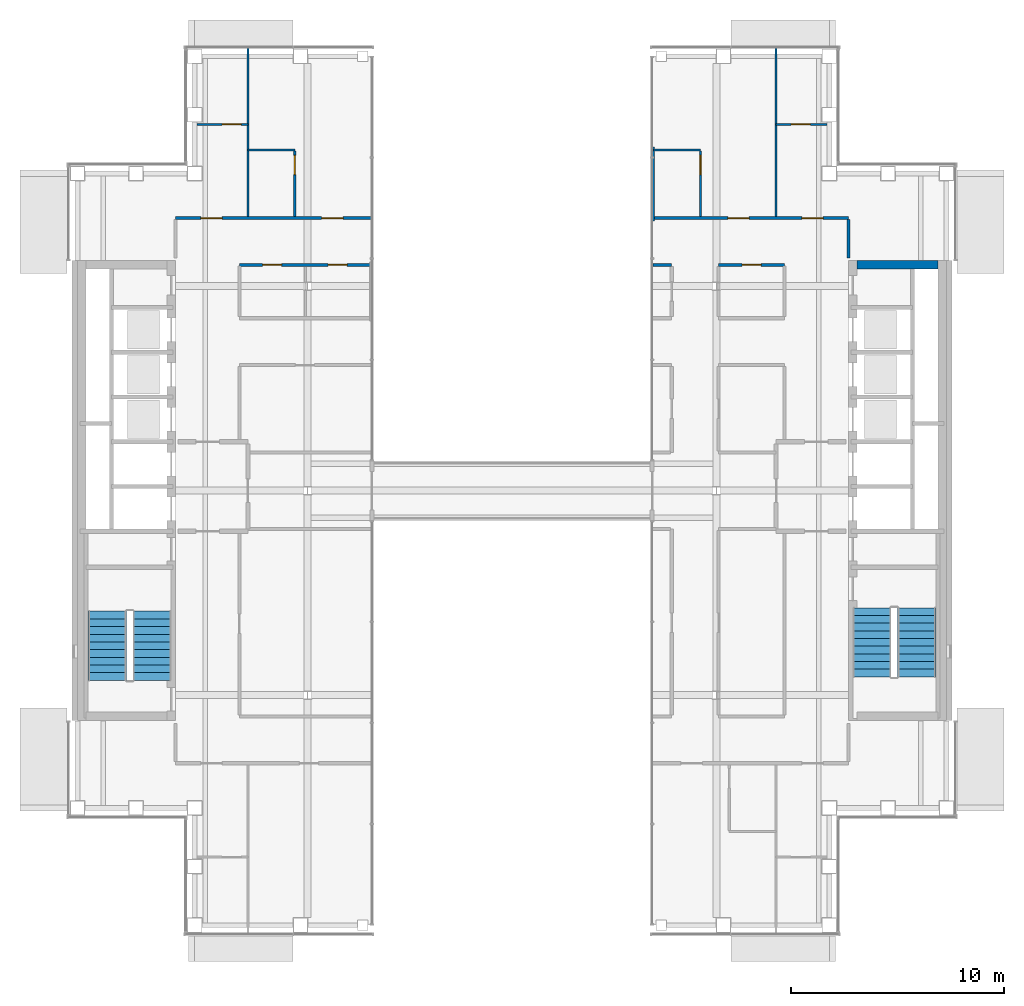
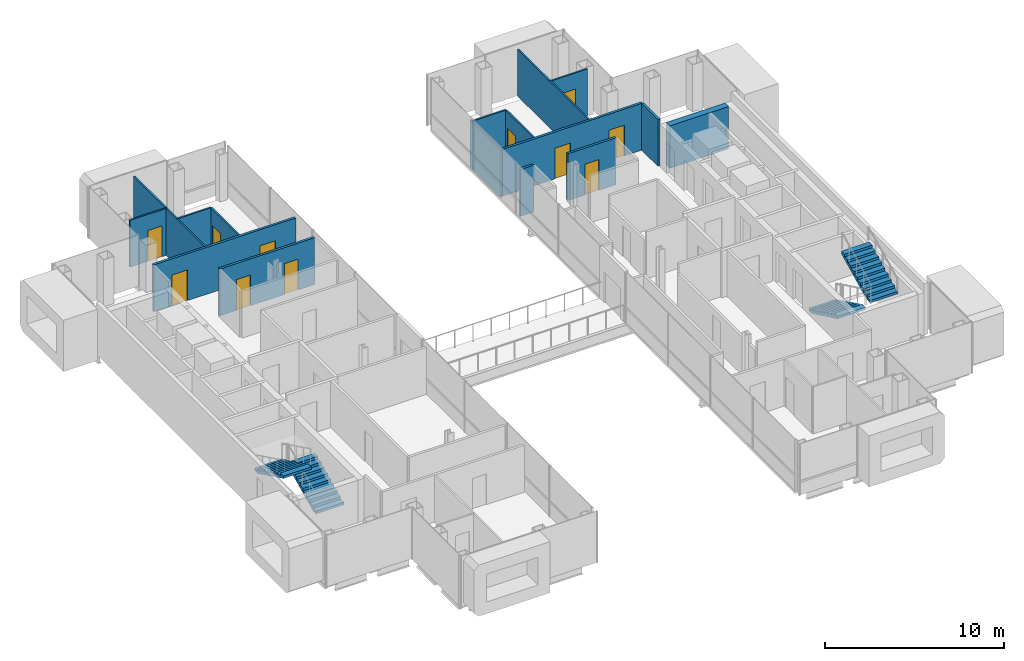
# One storey, part 13 of 17: 16 walls, 11 doors, 4 stair flights, 11 openings, 2 elements without a shape of their own.
"""IFC4 building model written with IfcOpenShell, lengths in metres."""

import ifcopenshell
import ifcopenshell.guid

model = None  # the IFC model being written
_history = None  # IfcOwnerHistory: only IFC2X3 demands one
_inside = {}  # id of a spatial element -> (the spatial element, [elements in it])
_under = {}  # id of a project, library or spatial element -> (it, [spatial elements below it])
_declared = {}  # id of a project -> (the project, [libraries it declares])
_typed = {}  # id of a type object -> (the type object, [elements of that type])
_made_of = {}  # id of a material, layer set ... -> (it, [elements and type objects made of it])


def new_model(schema):
    """Start an empty IFC model of exactly this schema.

    Asked for "IFC4X3", IfcOpenShell would pick the latest addendum, in which some entities
    have other attributes; the version numbers below select the first issue.
    IFC2X3 requires an IfcOwnerHistory on every rooted entity: one is made here for all.
    """
    global model, _history
    if schema == "IFC4X3":
        model = ifcopenshell.file(schema_version=(4, 3, 0, 0))
    else:
        model = ifcopenshell.file(schema=schema)
    _inside.clear()
    _under.clear()
    _declared.clear()
    _typed.clear()
    _made_of.clear()
    _history = None
    if model.schema == "IFC2X3":
        org = make("IfcOrganization", Name="unknown")
        user = make(
            "IfcPersonAndOrganization",
            ThePerson=make("IfcPerson", FamilyName="unknown"),
            TheOrganization=org,
        )
        app = make(
            "IfcApplication",
            ApplicationDeveloper=org,
            Version="unknown",
            ApplicationFullName="unknown",
            ApplicationIdentifier="unknown",
        )
        _history = make(
            "IfcOwnerHistory",
            OwningUser=user,
            OwningApplication=app,
            ChangeAction="ADDED",
            CreationDate=0,
        )
    return model


def make(cls, **values):
    """One entity of the class cls with the attributes given. An attribute that is None is left unset."""
    return model.create_entity(
        cls, **{name: value for name, value in values.items() if value is not None}
    )


def rooted(cls, **values):
    """An entity with a GlobalId (a new one), such as an element, a storey or a relation."""
    return make(cls, GlobalId=ifcopenshell.guid.new(), OwnerHistory=_history, **values)


def si_unit(unit_type, name, prefix=None):
    """IfcSIUnit, for example si_unit("LENGTHUNIT", "METRE", prefix="MILLI")."""
    return make("IfcSIUnit", UnitType=unit_type, Prefix=prefix, Name=name)


def assignment(units):
    """IfcUnitAssignment: the units of a project."""
    return None if units is None else make("IfcUnitAssignment", Units=units)


def point(xyz):
    """IfcCartesianPoint."""
    return None if xyz is None else make("IfcCartesianPoint", Coordinates=xyz)


def direction(xyz):
    """IfcDirection."""
    return None if xyz is None else make("IfcDirection", DirectionRatios=xyz)


def frame(location, z_axis=None, x_axis=None):
    """IfcAxis2Placement3D, a coordinate frame: its origin and axes. An axis left out is left unset."""
    return make(
        "IfcAxis2Placement3D",
        Location=point(location),
        Axis=direction(z_axis),
        RefDirection=direction(x_axis),
    )


def frame_2d(location, x_axis=None):
    """IfcAxis2Placement2D, a coordinate frame in the plane: its origin and x axis."""
    return make(
        "IfcAxis2Placement2D", Location=point(location), RefDirection=direction(x_axis)
    )


def origin():
    """The frame at (0, 0, 0) with its axes left unset."""
    return frame((0.0, 0.0, 0.0))


def place(relative_to, where):
    """IfcLocalPlacement: puts the frame where relative to a parent placement (None: the world)."""
    return make(
        "IfcLocalPlacement", PlacementRelTo=relative_to, RelativePlacement=where
    )


def context(
    kind, dimensions, precision=None, world=None, true_north=None, identifier=None
):
    """IfcGeometricRepresentationContext, for example the 3D "Model" context."""
    return make(
        "IfcGeometricRepresentationContext",
        ContextIdentifier=identifier,
        ContextType=kind,
        CoordinateSpaceDimension=dimensions,
        Precision=precision,
        WorldCoordinateSystem=world,
        TrueNorth=true_north,
    )


def subcontext(parent, identifier, kind, view, scale=None):
    """IfcGeometricRepresentationSubContext, for example "Body" below "Model"."""
    return make(
        "IfcGeometricRepresentationSubContext",
        ContextIdentifier=identifier,
        ContextType=kind,
        ParentContext=parent,
        TargetScale=scale,
        TargetView=view,
    )


def project(units=None, contexts=None):
    """IfcProject with its units and contexts."""
    return rooted(
        "IfcProject",
        Name="project",
        RepresentationContexts=contexts,
        UnitsInContext=assignment(units),
    )


def spatial(cls, under=None, at=None, **own):
    """A site, building, storey or space (cls), placed at a placement, below another one or the project."""
    s = rooted(cls, ObjectPlacement=at, **own)
    if under is not None:
        _under.setdefault(under.id(), (under, []))[1].append(s)
    return s


def polyline(points):
    """IfcPolyline through the points."""
    return make("IfcPolyline", Points=[point(p) for p in points])


def profile(cls, at=None, kind="AREA", **sizes):
    """A parametric profile (cls). Its sizes go by their IFC names, for example OverallWidth=200.0."""
    return make(cls, ProfileType=kind, Position=at, **sizes)


def rectangle(**sizes):
    """IfcRectangleProfileDef."""
    return profile("IfcRectangleProfileDef", **sizes)


def outline(outer, holes=None, kind="AREA"):
    """IfcArbitraryClosedProfileDef: a profile drawn as a closed curve; with holes, ...WithVoids."""
    if holes is None:
        return make("IfcArbitraryClosedProfileDef", ProfileType=kind, OuterCurve=outer)
    return make(
        "IfcArbitraryProfileDefWithVoids",
        ProfileType=kind,
        OuterCurve=outer,
        InnerCurves=holes,
    )


def extrude(swept, where, along, depth):
    """IfcExtrudedAreaSolid: the profile swept, set in the frame where, extruded along a direction by depth."""
    return make(
        "IfcExtrudedAreaSolid",
        SweptArea=swept,
        Position=where,
        ExtrudedDirection=direction(along),
        Depth=depth,
    )


def shape(context_of_items, identifier, shape_type, items):
    """IfcShapeRepresentation: the items that make up one representation, for example the "Body"."""
    return make(
        "IfcShapeRepresentation",
        ContextOfItems=context_of_items,
        RepresentationIdentifier=identifier,
        RepresentationType=shape_type,
        Items=items,
    )


def material(Name=None, Category=None):
    """IfcMaterial."""
    return make("IfcMaterial", Name=Name, Category=Category)


def layer(
    of_material, thickness, ventilated=None, Name=None, Category=None, Priority=None
):
    """IfcMaterialLayer: one layer of a wall or slab, of a material (None: an air gap)."""
    return make(
        "IfcMaterialLayer",
        Material=of_material,
        LayerThickness=thickness,
        IsVentilated=ventilated,
        Name=Name,
        Category=Category,
        Priority=Priority,
    )


def layer_set(layers, Name=None):
    """IfcMaterialLayerSet."""
    return make("IfcMaterialLayerSet", MaterialLayers=layers, LayerSetName=Name)


def made_of(thing, what):
    """Note that an element or type object is made of a material, layer set ...; save() writes the relation."""
    if what is not None:
        _made_of.setdefault(what.id(), (what, []))[1].append(thing)
    return thing


def type_object(cls, material=None, **own):
    """A type object (cls), such as IfcWallType, which elements share."""
    return made_of(rooted(cls, **own), material)


def element(
    cls,
    number,
    at=None,
    inside=None,
    cuts=None,
    type_object=None,
    material=None,
    context=None,
    identifier="Body",
    shape_type=None,
    held_by="IfcProductDefinitionShape",
    body=None,
    shapes=None,
    **own,
):
    """One element of the class cls, such as IfcWall. Its Tag is "e" and its number.

    at: its placement. inside: the storey or other place that contains it. cuts: it is an
    opening in that element (IfcRelVoidsElement). A single representation is given by context,
    identifier, shape_type and body (its items); several are given by shapes. held_by: the class
    of the entity that holds the representations. save() writes the other relations.
    """
    e = rooted(cls, Tag="e%d" % number, ObjectPlacement=at, **own)
    if body is not None:
        shapes = [shape(context, identifier, shape_type, body)]
    if shapes is not None:
        e.Representation = make(held_by, Representations=shapes)
    if inside is not None:
        _inside.setdefault(inside.id(), (inside, []))[1].append(e)
    if cuts is not None:
        rooted(
            "IfcRelVoidsElement", RelatingBuildingElement=cuts, RelatedOpeningElement=e
        )
    if type_object is not None:
        _typed.setdefault(type_object.id(), (type_object, []))[1].append(e)
    return made_of(e, material)


def fill(opening, filler):
    """IfcRelFillsElement: the door or window that sits in an opening."""
    return rooted(
        "IfcRelFillsElement",
        RelatingOpeningElement=opening,
        RelatedBuildingElement=filler,
    )


def aggregate(whole, parts):
    """IfcRelAggregates: a whole, such as a stair, and the parts it consists of."""
    return rooted("IfcRelAggregates", RelatingObject=whole, RelatedObjects=parts)


def save(model, path):
    """Write the relations noted so far, then the file.

    IfcRelAggregates (storeys below a building ...), IfcRelContainedInSpatialStructure (elements
    in a storey), IfcRelDefinesByType, IfcRelAssociatesMaterial and IfcRelDeclares: one each for
    every whole, place, type object, material and project.
    """
    for whole, parts in _under.values():
        aggregate(whole, parts)
    for where, things in _inside.values():
        rooted(
            "IfcRelContainedInSpatialStructure",
            RelatedElements=things,
            RelatingStructure=where,
        )
    for kind, things in _typed.values():
        rooted("IfcRelDefinesByType", RelatedObjects=things, RelatingType=kind)
    for what, things in _made_of.values():
        rooted("IfcRelAssociatesMaterial", RelatedObjects=things, RelatingMaterial=what)
    for by, libraries in _declared.values():
        rooted("IfcRelDeclares", RelatingContext=by, RelatedDefinitions=libraries)
    model.write(path)


model = new_model("IFC4")

# Units and contexts
model_context = context("Model", 3, precision=1e-05, world=origin(), true_north=direction((0.0, 1.0)))
body_context = subcontext(model_context, "Body", "Model", "MODEL_VIEW")
ifc_project = project(units=[si_unit("LENGTHUNIT", "METRE"), si_unit("AREAUNIT", "SQUARE_METRE"), si_unit("VOLUMEUNIT", "CUBIC_METRE"), si_unit("PLANEANGLEUNIT", "RADIAN"), si_unit("MASSUNIT", "GRAM", prefix="KILO")], contexts=[model_context])

# Site, building, storey
site_placement = place(None, origin())
site = spatial("IfcSite", under=ifc_project, at=site_placement, CompositionType="ELEMENT")
building_placement = place(site_placement, origin())
building = spatial("IfcBuilding", under=site, at=building_placement, Name="Cobrizo Arcos Hotel Tower", CompositionType="ELEMENT")
storey_placement = place(building_placement, frame((0.0, 0.0, 233.0)))
storey = spatial("IfcBuildingStorey", under=building, at=storey_placement, Name="L61", CompositionType="ELEMENT", Elevation=233.0)

# Wall, openings, doors
ifc_material_1 = material(Name="Gypsum board partition")
ifc_layer_1 = layer(ifc_material_1, 0.14990234375)
ifc_layer_set_1 = layer_set([ifc_layer_1], Name="Corridor wall EI 60 150")
wall_type_1 = type_object("IfcWallType", Name="Corridor wall EI 60 150", PredefinedType="PARTITIONING", material=ifc_layer_set_1)
wall_1_placement = place(storey_placement, frame((-12.800048828125, 10.60009765625, 0.0), z_axis=(0.0, 0.0, 1.0), x_axis=(1.0, 0.0, 0.0)))
wall_1 = element("IfcWall", 1, at=wall_1_placement, inside=storey, type_object=wall_type_1, Name="Partition 041", PredefinedType="PARTITIONING", context=body_context, shape_type="SweptSolid", body=[
    extrude(rectangle(XDim=6.150146484375, YDim=0.14990234375, at=frame_2d((3.0751953125, 0.0))), origin(), (0.0, 0.0, 1.0), 3.199951171875),
])
opening_1_placement = place(wall_1_placement, frame((1.087890625, 0.0, 0.0)))
opening_1 = element("IfcOpeningElement", 2, at=opening_1_placement, cuts=wall_1, Name="Opening ED-08", PredefinedType="OPENING", context=body_context, shape_type="SweptSolid", body=[
    extrude(rectangle(XDim=0.89990234375, YDim=2.10009765625, at=frame_2d((0.449951171875, 1.050048828125))), frame((0.0, 0.0869140625, 0.0), z_axis=(0.0, -1.0, 0.0), x_axis=(1.0, 0.0, 0.0)), (0.0, 0.0, 1.0), 0.173828125),
])
opening_2_placement = place(wall_1_placement, frame((4.1630859375, 0.0, 0.0)))
opening_2 = element("IfcOpeningElement", 3, at=opening_2_placement, cuts=wall_1, Name="Opening ED-09", PredefinedType="OPENING", context=body_context, shape_type="SweptSolid", body=[
    extrude(rectangle(XDim=0.89990234375, YDim=2.10009765625, at=frame_2d((0.449951171875, 1.050048828125))), frame((0.0, 0.0869140625, 0.0), z_axis=(0.0, -1.0, 0.0), x_axis=(1.0, 0.0, 0.0)), (0.0, 0.0, 1.0), 0.173828125),
])
ifc_material_2 = material(Name="Timber door leaf", Category="wood")
door_type_1 = type_object("IfcDoorType", Name="En-suite door 900x2100", OperationType="SINGLE_SWING_LEFT", PredefinedType="DOOR", material=ifc_material_2)
door_1_placement = place(opening_1_placement, origin())
door_1 = element("IfcDoor", 4, at=door_1_placement, inside=storey, type_object=door_type_1, Name="Door ED-08", OperationType="SINGLE_SWING_LEFT", OverallHeight=2.10009765625, OverallWidth=0.89990234375, PredefinedType="DOOR", context=body_context, shape_type="SweptSolid", body=[
    extrude(rectangle(XDim=0.89990234375, YDim=2.10009765625, at=frame_2d((0.449951171875, 1.050048828125))), frame((0.0, 0.02490234375, 0.0), z_axis=(0.0, -1.0, 0.0), x_axis=(1.0, 0.0, 0.0)), (0.0, 0.0, 1.0), 0.050048828125),
])
fill(opening_1, door_1)
door_2_placement = place(opening_2_placement, origin())
door_2 = element("IfcDoor", 5, at=door_2_placement, inside=storey, type_object=door_type_1, Name="Door ED-09", OperationType="SINGLE_SWING_LEFT", OverallHeight=2.10009765625, OverallWidth=0.89990234375, PredefinedType="DOOR", context=body_context, shape_type="SweptSolid", body=[
    extrude(rectangle(XDim=0.89990234375, YDim=2.10009765625, at=frame_2d((0.449951171875, 1.050048828125))), frame((0.0, 0.02490234375, 0.0), z_axis=(0.0, -1.0, 0.0), x_axis=(1.0, 0.0, 0.0)), (0.0, 0.0, 1.0), 0.050048828125),
])
fill(opening_2, door_2)

# Wall
wall_2_placement = place(storey_placement, frame((6.6201171875, 10.60009765625, 0.0), z_axis=(0.0, 0.0, 1.0), x_axis=(1.0, 0.0, 0.0)))
element("IfcWall", 6, at=wall_2_placement, inside=storey, type_object=wall_type_1, Name="Partition 042", PredefinedType="PARTITIONING", context=body_context, shape_type="SweptSolid", body=[
    extrude(rectangle(XDim=0.8798828125, YDim=0.14990234375, at=frame_2d((0.43994140625, 0.0))), origin(), (0.0, 0.0, 1.0), 3.199951171875),
])

# Wall, opening, door
wall_3_placement = place(storey_placement, frame((9.699951171875, 10.60009765625, 0.0), z_axis=(0.0, 0.0, 1.0), x_axis=(1.0, 0.0, 0.0)))
wall_3 = element("IfcWall", 7, at=wall_3_placement, inside=storey, type_object=wall_type_1, Name="Partition 043", PredefinedType="PARTITIONING", context=body_context, shape_type="SweptSolid", body=[
    extrude(rectangle(XDim=3.10009765625, YDim=0.14990234375, at=frame_2d((1.550048828125, 0.0))), origin(), (0.0, 0.0, 1.0), 3.199951171875),
])
opening_3_placement = place(wall_3_placement, frame((1.10009765625, 0.0, 0.0)))
opening_3 = element("IfcOpeningElement", 8, at=opening_3_placement, cuts=wall_3, Name="Opening RD-07", PredefinedType="OPENING", context=body_context, shape_type="SweptSolid", body=[
    extrude(rectangle(XDim=0.89990234375, YDim=2.10009765625, at=frame_2d((0.449951171875, 1.050048828125))), frame((0.0, 0.0869140625, 0.0), z_axis=(0.0, -1.0, 0.0), x_axis=(1.0, 0.0, 0.0)), (0.0, 0.0, 1.0), 0.173828125),
])
door_type_2 = type_object("IfcDoorType", Name="Room door FD30 900x2100", OperationType="SINGLE_SWING_LEFT", PredefinedType="DOOR", material=ifc_material_2)
door_3_placement = place(opening_3_placement, origin())
door_3 = element("IfcDoor", 9, at=door_3_placement, inside=storey, type_object=door_type_2, Name="Door RD-07", OperationType="SINGLE_SWING_RIGHT", OverallHeight=2.10009765625, OverallWidth=0.89990234375, PredefinedType="DOOR", context=body_context, shape_type="SweptSolid", body=[
    extrude(rectangle(XDim=0.89990234375, YDim=2.10009765625, at=frame_2d((0.449951171875, 1.050048828125))), frame((0.0, 0.02490234375, 0.0), z_axis=(0.0, -1.0, 0.0), x_axis=(1.0, 0.0, 0.0)), (0.0, 0.0, 1.0), 0.050048828125),
])
fill(opening_3, door_3)

# Wall, openings, doors
wall_4_placement = place(storey_placement, frame((-15.800048828125, 12.800048828125, 0.0), z_axis=(0.0, 0.0, 1.0), x_axis=(1.0, 0.0, 0.0)))
wall_4 = element("IfcWall", 10, at=wall_4_placement, inside=storey, type_object=wall_type_1, Name="Partition 044", PredefinedType="PARTITIONING", context=body_context, shape_type="SweptSolid", body=[
    extrude(rectangle(XDim=9.179931640625, YDim=0.14990234375, at=frame_2d((4.58984375, 0.0))), origin(), (0.0, 0.0, 1.0), 3.199951171875),
])
opening_4_placement = place(wall_4_placement, frame((6.866943359375, 0.0, 0.0)))
opening_4 = element("IfcOpeningElement", 11, at=opening_4_placement, cuts=wall_4, Name="Opening GD-02", PredefinedType="OPENING", context=body_context, shape_type="SweptSolid", body=[
    extrude(rectangle(XDim=1.0, YDim=2.10009765625, at=frame_2d((0.5, 1.050048828125))), frame((0.0, 0.0869140625, 0.0), z_axis=(0.0, -1.0, 0.0), x_axis=(1.0, 0.0, 0.0)), (0.0, 0.0, 1.0), 0.173828125),
])
opening_5_placement = place(wall_4_placement, frame((1.19189453125, 0.0, 0.0)))
opening_5 = element("IfcOpeningElement", 12, at=opening_5_placement, cuts=wall_4, Name="Opening GD-05", PredefinedType="OPENING", context=body_context, shape_type="SweptSolid", body=[
    extrude(rectangle(XDim=1.0, YDim=2.10009765625, at=frame_2d((0.5, 1.050048828125))), frame((0.0, 0.0869140625, 0.0), z_axis=(0.0, -1.0, 0.0), x_axis=(1.0, 0.0, 0.0)), (0.0, 0.0, 1.0), 0.173828125),
])
door_type_3 = type_object("IfcDoorType", Name="Guest room door FD30S 1000x2100", OperationType="SINGLE_SWING_LEFT", PredefinedType="DOOR", material=ifc_material_2)
door_4_placement = place(opening_4_placement, origin())
door_4 = element("IfcDoor", 13, at=door_4_placement, inside=storey, type_object=door_type_3, Name="Door GD-02", OperationType="SINGLE_SWING_LEFT", OverallHeight=2.10009765625, OverallWidth=1.0, PredefinedType="DOOR", context=body_context, shape_type="SweptSolid", body=[
    extrude(rectangle(XDim=1.0, YDim=2.10009765625, at=frame_2d((0.5, 1.050048828125))), frame((0.0, 0.02490234375, 0.0), z_axis=(0.0, -1.0, 0.0), x_axis=(1.0, 0.0, 0.0)), (0.0, 0.0, 1.0), 0.050048828125),
])
fill(opening_4, door_4)
door_5_placement = place(opening_5_placement, origin())
door_5 = element("IfcDoor", 14, at=door_5_placement, inside=storey, type_object=door_type_3, Name="Door GD-05", OperationType="SINGLE_SWING_RIGHT", OverallHeight=2.10009765625, OverallWidth=1.0, PredefinedType="DOOR", context=body_context, shape_type="SweptSolid", body=[
    extrude(rectangle(XDim=1.0, YDim=2.10009765625, at=frame_2d((0.5, 1.050048828125))), frame((0.0, 0.02490234375, 0.0), z_axis=(0.0, -1.0, 0.0), x_axis=(1.0, 0.0, 0.0)), (0.0, 0.0, 1.0), 0.050048828125),
])
fill(opening_5, door_5)

wall_5_placement = place(storey_placement, frame((6.64990234375, 12.800048828125, 0.0), z_axis=(0.0, 0.0, 1.0), x_axis=(1.0, 0.0, 0.0)))
wall_5 = element("IfcWall", 15, at=wall_5_placement, inside=storey, type_object=wall_type_1, Name="Partition 045", PredefinedType="PARTITIONING", context=body_context, shape_type="SweptSolid", body=[
    extrude(rectangle(XDim=9.150146484375, YDim=0.14990234375, at=frame_2d((4.5751953125, 0.0))), origin(), (0.0, 0.0, 1.0), 3.199951171875),
])
opening_6_placement = place(wall_5_placement, frame((3.48291015625, 0.0, 0.0)))
opening_6 = element("IfcOpeningElement", 16, at=opening_6_placement, cuts=wall_5, Name="Opening GD-01", PredefinedType="OPENING", context=body_context, shape_type="SweptSolid", body=[
    extrude(rectangle(XDim=1.0, YDim=2.10009765625, at=frame_2d((0.5, 1.050048828125))), frame((0.0, 0.0869140625, 0.0), z_axis=(0.0, -1.0, 0.0), x_axis=(1.0, 0.0, 0.0)), (0.0, 0.0, 1.0), 0.173828125),
])
opening_7_placement = place(wall_5_placement, frame((6.9580078125, 0.0, 0.0)))
opening_7 = element("IfcOpeningElement", 17, at=opening_7_placement, cuts=wall_5, Name="Opening GD-07", PredefinedType="OPENING", context=body_context, shape_type="SweptSolid", body=[
    extrude(rectangle(XDim=1.0, YDim=2.10009765625, at=frame_2d((0.5, 1.050048828125))), frame((0.0, 0.0869140625, 0.0), z_axis=(0.0, -1.0, 0.0), x_axis=(1.0, 0.0, 0.0)), (0.0, 0.0, 1.0), 0.173828125),
])
door_6_placement = place(opening_6_placement, origin())
door_6 = element("IfcDoor", 18, at=door_6_placement, inside=storey, type_object=door_type_3, Name="Door GD-01", OperationType="SINGLE_SWING_RIGHT", OverallHeight=2.10009765625, OverallWidth=1.0, PredefinedType="DOOR", context=body_context, shape_type="SweptSolid", body=[
    extrude(rectangle(XDim=1.0, YDim=2.10009765625, at=frame_2d((0.5, 1.050048828125))), frame((0.0, 0.02490234375, 0.0), z_axis=(0.0, -1.0, 0.0), x_axis=(1.0, 0.0, 0.0)), (0.0, 0.0, 1.0), 0.050048828125),
])
fill(opening_6, door_6)
door_7_placement = place(opening_7_placement, origin())
door_7 = element("IfcDoor", 19, at=door_7_placement, inside=storey, type_object=door_type_3, Name="Door GD-07", OperationType="SINGLE_SWING_LEFT", OverallHeight=2.10009765625, OverallWidth=1.0, PredefinedType="DOOR", context=body_context, shape_type="SweptSolid", body=[
    extrude(rectangle(XDim=1.0, YDim=2.10009765625, at=frame_2d((0.5, 1.050048828125))), frame((0.0, 0.02490234375, 0.0), z_axis=(0.0, -1.0, 0.0), x_axis=(1.0, 0.0, 0.0)), (0.0, 0.0, 1.0), 0.050048828125),
])
fill(opening_7, door_7)

# Walls
wall_6_placement = place(storey_placement, frame((15.800048828125, 10.919921875, 0.0), z_axis=(0.0, 0.0, 1.0), x_axis=(0.0, 1.0, 0.0)))
element("IfcWall", 20, at=wall_6_placement, inside=storey, type_object=wall_type_1, Name="Partition 085", PredefinedType="PARTITIONING", context=body_context, shape_type="SweptSolid", body=[
    extrude(rectangle(XDim=1.80517578125, YDim=0.14990234375, at=frame_2d((0.902587890625, 0.0))), origin(), (0.0, 0.0, 1.0), 3.199951171875),
])
ifc_layer_2 = layer(ifc_material_1, 0.10009765625)
ifc_layer_set_2 = layer_set([ifc_layer_2], Name="Partition EI 30 100")
wall_type_2 = type_object("IfcWallType", Name="Partition EI 30 100", PredefinedType="PARTITIONING", material=ifc_layer_set_2)
wall_7_placement = place(storey_placement, frame((-12.39990234375, 16.0, 0.0), z_axis=(0.0, 0.0, 1.0), x_axis=(1.0, 0.0, 0.0)))
element("IfcWall", 21, at=wall_7_placement, inside=storey, type_object=wall_type_2, Name="Partition 046", PredefinedType="PARTITIONING", context=body_context, shape_type="SweptSolid", body=[
    extrude(rectangle(XDim=2.199951171875, YDim=0.10009765625, at=frame_2d((1.10009765625, 0.0))), origin(), (0.0, 0.0, 1.0), 3.199951171875),
])
wall_8_placement = place(storey_placement, frame((6.64990234375, 16.0, 0.0), z_axis=(0.0, 0.0, 1.0), x_axis=(1.0, 0.0, 0.0)))
element("IfcWall", 22, at=wall_8_placement, inside=storey, type_object=wall_type_2, Name="Partition 047", PredefinedType="PARTITIONING", context=body_context, shape_type="SweptSolid", body=[
    extrude(rectangle(XDim=2.2001953125, YDim=0.10009765625, at=frame_2d((1.10009765625, 0.0))), origin(), (0.0, 0.0, 1.0), 3.199951171875),
])

# Wall, opening, door
wall_9_placement = place(storey_placement, frame((-14.780029296875, 17.199951171875, 0.0), z_axis=(0.0, 0.0, 1.0), x_axis=(1.0, 0.0, 0.0)))
wall_9 = element("IfcWall", 23, at=wall_9_placement, inside=storey, type_object=wall_type_2, Name="Partition 048", PredefinedType="PARTITIONING", context=body_context, shape_type="SweptSolid", body=[
    extrude(rectangle(XDim=2.380126953125, YDim=0.10009765625, at=frame_2d((1.18994140625, 0.0))), origin(), (0.0, 0.0, 1.0), 3.199951171875),
])
opening_8_placement = place(wall_9_placement, frame((1.16796875, 0.0, 0.0)))
opening_8 = element("IfcOpeningElement", 24, at=opening_8_placement, cuts=wall_9, Name="Opening ED-05", PredefinedType="OPENING", context=body_context, shape_type="SweptSolid", body=[
    extrude(rectangle(XDim=0.89990234375, YDim=2.10009765625, at=frame_2d((0.449951171875, 1.050048828125))), frame((0.0, 0.06201171875, 0.0), z_axis=(0.0, -1.0, 0.0), x_axis=(1.0, 0.0, 0.0)), (0.0, 0.0, 1.0), 0.1240234375),
])
door_8_placement = place(opening_8_placement, origin())
door_8 = element("IfcDoor", 25, at=door_8_placement, inside=storey, type_object=door_type_1, Name="Door ED-05", OperationType="SINGLE_SWING_LEFT", OverallHeight=2.10009765625, OverallWidth=0.89990234375, PredefinedType="DOOR", context=body_context, shape_type="SweptSolid", body=[
    extrude(rectangle(XDim=0.89990234375, YDim=2.10009765625, at=frame_2d((0.449951171875, 1.050048828125))), frame((0.0, 0.02490234375, 0.0), z_axis=(0.0, -1.0, 0.0), x_axis=(1.0, 0.0, 0.0)), (0.0, 0.0, 1.0), 0.050048828125),
])
fill(opening_8, door_8)

wall_10_placement = place(storey_placement, frame((12.39990234375, 17.199951171875, 0.0), z_axis=(0.0, 0.0, 1.0), x_axis=(1.0, 0.0, 0.0)))
wall_10 = element("IfcWall", 26, at=wall_10_placement, inside=storey, type_object=wall_type_2, Name="Partition 049", PredefinedType="PARTITIONING", context=body_context, shape_type="SweptSolid", body=[
    extrude(rectangle(XDim=2.380126953125, YDim=0.10009765625, at=frame_2d((1.18994140625, 0.0))), origin(), (0.0, 0.0, 1.0), 3.199951171875),
])
opening_9_placement = place(wall_10_placement, frame((0.705078125, 0.0, 0.0)))
opening_9 = element("IfcOpeningElement", 27, at=opening_9_placement, cuts=wall_10, Name="Opening ED-07", PredefinedType="OPENING", context=body_context, shape_type="SweptSolid", body=[
    extrude(rectangle(XDim=0.89990234375, YDim=2.10009765625, at=frame_2d((0.449951171875, 1.050048828125))), frame((0.0, 0.06201171875, 0.0), z_axis=(0.0, -1.0, 0.0), x_axis=(1.0, 0.0, 0.0)), (0.0, 0.0, 1.0), 0.1240234375),
])
door_9_placement = place(opening_9_placement, origin())
door_9 = element("IfcDoor", 28, at=door_9_placement, inside=storey, type_object=door_type_1, Name="Door ED-07", OperationType="SINGLE_SWING_LEFT", OverallHeight=2.10009765625, OverallWidth=0.89990234375, PredefinedType="DOOR", context=body_context, shape_type="SweptSolid", body=[
    extrude(rectangle(XDim=0.89990234375, YDim=2.10009765625, at=frame_2d((0.449951171875, 1.050048828125))), frame((0.0, 0.02490234375, 0.0), z_axis=(0.0, -1.0, 0.0), x_axis=(1.0, 0.0, 0.0)), (0.0, 0.0, 1.0), 0.050048828125),
])
fill(opening_9, door_9)

# Wall
wall_11_placement = place(storey_placement, frame((-12.39990234375, 12.875, 0.0), z_axis=(0.0, 0.0, 1.0), x_axis=(0.0, 1.0, 0.0)))
element("IfcWall", 29, at=wall_11_placement, inside=storey, type_object=wall_type_2, Name="Partition 059", PredefinedType="PARTITIONING", context=body_context, shape_type="SweptSolid", body=[
    extrude(rectangle(XDim=7.905029296875, YDim=0.10009765625, at=frame_2d((3.95263671875, 0.0))), origin(), (0.0, 0.0, 1.0), 3.199951171875),
])

# Wall, opening, door
wall_12_placement = place(storey_placement, frame((-10.199951171875, 12.875, 0.0), z_axis=(0.0, 0.0, 1.0), x_axis=(0.0, 1.0, 0.0)))
wall_12 = element("IfcWall", 30, at=wall_12_placement, inside=storey, type_object=wall_type_2, Name="Partition 060", PredefinedType="PARTITIONING", context=body_context, shape_type="SweptSolid", body=[
    extrude(rectangle(XDim=3.074951171875, YDim=0.10009765625, at=frame_2d((1.53759765625, 0.0))), origin(), (0.0, 0.0, 1.0), 3.199951171875),
])
opening_10_placement = place(wall_12_placement, frame((1.970947265625, 0.0, 0.0)))
opening_10 = element("IfcOpeningElement", 31, at=opening_10_placement, cuts=wall_12, Name="Opening ED-02", PredefinedType="OPENING", context=body_context, shape_type="SweptSolid", body=[
    extrude(rectangle(XDim=0.89990234375, YDim=2.10009765625, at=frame_2d((0.449951171875, 1.050048828125))), frame((0.0, 0.06201171875, 0.0), z_axis=(0.0, -1.0, 0.0), x_axis=(1.0, 0.0, 0.0)), (0.0, 0.0, 1.0), 0.1240234375),
])
door_10_placement = place(opening_10_placement, origin())
door_10 = element("IfcDoor", 32, at=door_10_placement, inside=storey, type_object=door_type_1, Name="Door ED-02", OperationType="SINGLE_SWING_LEFT", OverallHeight=2.10009765625, OverallWidth=0.89990234375, PredefinedType="DOOR", context=body_context, shape_type="SweptSolid", body=[
    extrude(rectangle(XDim=0.89990234375, YDim=2.10009765625, at=frame_2d((0.449951171875, 1.050048828125))), frame((0.0, 0.02490234375, 0.0), z_axis=(0.0, -1.0, 0.0), x_axis=(1.0, 0.0, 0.0)), (0.0, 0.0, 1.0), 0.050048828125),
])
fill(opening_10, door_10)

# Wall
wall_13_placement = place(storey_placement, frame((6.64990234375, 12.659912109375, 0.0), z_axis=(0.0, 0.0, 1.0), x_axis=(0.0, 1.0, 0.0)))
element("IfcWall", 33, at=wall_13_placement, inside=storey, type_object=wall_type_2, Name="Partition 065", PredefinedType="PARTITIONING", context=body_context, shape_type="SweptSolid", body=[
    extrude(rectangle(XDim=3.47998046875, YDim=0.10009765625, at=frame_2d((1.739990234375, 0.0))), origin(), (0.0, 0.0, 1.0), 3.199951171875),
])

# Wall, opening, door
wall_14_placement = place(storey_placement, frame((8.85009765625, 12.875, 0.0), z_axis=(0.0, 0.0, 1.0), x_axis=(0.0, 1.0, 0.0)))
wall_14 = element("IfcWall", 34, at=wall_14_placement, inside=storey, type_object=wall_type_2, Name="Partition 069", PredefinedType="PARTITIONING", context=body_context, shape_type="SweptSolid", body=[
    extrude(rectangle(XDim=3.074951171875, YDim=0.10009765625, at=frame_2d((1.53759765625, 0.0))), origin(), (0.0, 0.0, 1.0), 3.199951171875),
])
opening_11_placement = place(wall_14_placement, frame((1.970947265625, 0.0, 0.0)))
opening_11 = element("IfcOpeningElement", 35, at=opening_11_placement, cuts=wall_14, Name="Opening ED-01", PredefinedType="OPENING", context=body_context, shape_type="SweptSolid", body=[
    extrude(rectangle(XDim=0.89990234375, YDim=2.10009765625, at=frame_2d((0.449951171875, 1.050048828125))), frame((0.0, 0.06201171875, 0.0), z_axis=(0.0, -1.0, 0.0), x_axis=(1.0, 0.0, 0.0)), (0.0, 0.0, 1.0), 0.1240234375),
])
door_11_placement = place(opening_11_placement, origin())
door_11 = element("IfcDoor", 36, at=door_11_placement, inside=storey, type_object=door_type_1, Name="Door ED-01", OperationType="SINGLE_SWING_RIGHT", OverallHeight=2.10009765625, OverallWidth=0.89990234375, PredefinedType="DOOR", context=body_context, shape_type="SweptSolid", body=[
    extrude(rectangle(XDim=0.89990234375, YDim=2.10009765625, at=frame_2d((0.449951171875, 1.050048828125))), frame((0.0, 0.02490234375, 0.0), z_axis=(0.0, -1.0, 0.0), x_axis=(1.0, 0.0, 0.0)), (0.0, 0.0, 1.0), 0.050048828125),
])
fill(opening_11, door_11)

# Walls
wall_15_placement = place(storey_placement, frame((12.39990234375, 12.875, 0.0), z_axis=(0.0, 0.0, 1.0), x_axis=(0.0, 1.0, 0.0)))
element("IfcWall", 37, at=wall_15_placement, inside=storey, type_object=wall_type_2, Name="Partition 080", PredefinedType="PARTITIONING", context=body_context, shape_type="SweptSolid", body=[
    extrude(rectangle(XDim=7.905029296875, YDim=0.10009765625, at=frame_2d((3.95263671875, 0.0))), origin(), (0.0, 0.0, 1.0), 3.199951171875),
])
ifc_material_3 = material(Name="Concrete f'c 40 MPa", Category="concrete")
ifc_layer_3 = layer(ifc_material_3, 0.39990234375)
ifc_layer_set_3 = layer_set([ifc_layer_3], Name="RC core wall 400 f'c 40")
wall_type_3 = type_object("IfcWallType", Name="RC core wall 400 f'c 40", PredefinedType="SHEAR", material=ifc_layer_set_3)
wall_16_placement = place(storey_placement, frame((16.199951171875, 10.60009765625, 0.0), z_axis=(0.0, 0.0, 1.0), x_axis=(1.0, 0.0, 0.0)))
element("IfcWall", 38, at=wall_16_placement, inside=storey, type_object=wall_type_3, Name="Core wall CW4, east core, north end, L61", PredefinedType="SHEAR", context=body_context, shape_type="SweptSolid", body=[
    extrude(rectangle(XDim=3.800048828125, YDim=0.39990234375, at=frame_2d((1.89990234375, 0.0))), origin(), (0.0, 0.0, 1.0), 2.89990234375),
])

# Stair, stair flights
stair_type = type_object("IfcStairType", Name="Exit stair", PredefinedType="HALF_TURN_STAIR", material=ifc_material_3)
stair_1_placement = place(storey_placement, origin())
stair_1 = element("IfcStair", 39, at=stair_1_placement, inside=storey, type_object=stair_type, Name="L61 Exit stair ST-W", PredefinedType="HALF_TURN_STAIR")
stair_flight_type = type_object("IfcStairFlightType", Name="Exit stair flight", PredefinedType="STRAIGHT", material=ifc_material_3)
stair_flight_1_placement = place(storey_placement, frame((-16.89990234375, -8.89990234375, 0.0), z_axis=(0.0, 0.0, 1.0), x_axis=(0.0, 1.0, 0.0)))
stair_flight_1 = element("IfcStairFlight", 40, at=stair_flight_1_placement, type_object=stair_flight_type, Name="ST-W flight 1", NumberOfRisers=10, NumberOfTreads=9, PredefinedType="STRAIGHT", RiserHeight=0.175, TreadLength=0.36, context=body_context, shape_type="SweptSolid", body=[
    extrude(outline(polyline([(0.0, 0.0), (0.0, 0.175048828125), (0.360107421875, 0.175048828125), (0.360107421875, 0.35009765625), (0.719970703125, 0.35009765625), (0.719970703125, 0.52490234375), (1.080078125, 0.52490234375), (1.080078125, 0.699951171875), (1.43994140625, 0.699951171875), (1.43994140625, 0.875), (1.800048828125, 0.875), (1.800048828125, 1.050048828125), (2.159912109375, 1.050048828125), (2.159912109375, 1.22509765625), (2.52001953125, 1.22509765625), (2.52001953125, 1.39990234375), (2.8798828125, 1.39990234375), (2.8798828125, 1.574951171875), (3.239990234375, 1.574951171875), (3.239990234375, 1.75), (3.239990234375, 1.408203125), (0.3427734375, 0.0), (0.0, 0.0)])), frame((0.0, 0.89990234375, 0.0), z_axis=(0.0, -1.0, 0.0), x_axis=(1.0, 0.0, 0.0)), (0.0, 0.0, 1.0), 1.800048828125),
])
stair_flight_2_placement = place(storey_placement, frame((-19.0, -5.659912109375, 1.75), z_axis=(0.0, 0.0, 1.0), x_axis=(0.0, -1.0, 0.0)))
stair_flight_2 = element("IfcStairFlight", 41, at=stair_flight_2_placement, type_object=stair_flight_type, Name="ST-W flight 2", NumberOfRisers=10, NumberOfTreads=9, PredefinedType="STRAIGHT", RiserHeight=0.175, TreadLength=0.36, context=body_context, shape_type="SweptSolid", body=[
    extrude(outline(polyline([(0.0, 0.0), (0.0, 0.175048828125), (0.360107421875, 0.175048828125), (0.360107421875, 0.35009765625), (0.719970703125, 0.35009765625), (0.719970703125, 0.52490234375), (1.080078125, 0.52490234375), (1.080078125, 0.699951171875), (1.43994140625, 0.699951171875), (1.43994140625, 0.875), (1.800048828125, 0.875), (1.800048828125, 1.050048828125), (2.159912109375, 1.050048828125), (2.159912109375, 1.22509765625), (2.52001953125, 1.22509765625), (2.52001953125, 1.39990234375), (2.8798828125, 1.39990234375), (2.8798828125, 1.574951171875), (3.239990234375, 1.574951171875), (3.239990234375, 1.75), (3.239990234375, 1.408203125), (0.3427734375, 0.0), (0.0, 0.0)])), frame((0.0, 0.89990234375, 0.0), z_axis=(0.0, -1.0, 0.0), x_axis=(1.0, 0.0, 0.0)), (0.0, 0.0, 1.0), 1.800048828125),
])
aggregate(stair_1, [stair_flight_1, stair_flight_2])

stair_2_placement = place(storey_placement, origin())
stair_2 = element("IfcStair", 42, at=stair_2_placement, inside=storey, type_object=stair_type, Name="L61 Exit stair ST-E", PredefinedType="HALF_TURN_STAIR")
stair_flight_3_placement = place(storey_placement, frame((16.89990234375, -5.5, 0.0), z_axis=(0.0, 0.0, 1.0), x_axis=(0.0, -1.0, 0.0)))
stair_flight_3 = element("IfcStairFlight", 43, at=stair_flight_3_placement, type_object=stair_flight_type, Name="ST-E flight 1", NumberOfRisers=10, NumberOfTreads=9, PredefinedType="STRAIGHT", RiserHeight=0.175, TreadLength=0.36, context=body_context, shape_type="SweptSolid", body=[
    extrude(outline(polyline([(0.0, 0.0), (0.0, 0.175048828125), (0.360107421875, 0.175048828125), (0.360107421875, 0.35009765625), (0.719970703125, 0.35009765625), (0.719970703125, 0.52490234375), (1.080078125, 0.52490234375), (1.080078125, 0.699951171875), (1.43994140625, 0.699951171875), (1.43994140625, 0.875), (1.800048828125, 0.875), (1.800048828125, 1.050048828125), (2.159912109375, 1.050048828125), (2.159912109375, 1.22509765625), (2.52001953125, 1.22509765625), (2.52001953125, 1.39990234375), (2.8798828125, 1.39990234375), (2.8798828125, 1.574951171875), (3.239990234375, 1.574951171875), (3.239990234375, 1.75), (3.239990234375, 1.408203125), (0.3427734375, 0.0), (0.0, 0.0)])), frame((0.0, 0.89990234375, 0.0), z_axis=(0.0, -1.0, 0.0), x_axis=(1.0, 0.0, 0.0)), (0.0, 0.0, 1.0), 1.800048828125),
])
stair_flight_4_placement = place(storey_placement, frame((19.0, -8.739990234375, 1.75), z_axis=(0.0, 0.0, 1.0), x_axis=(0.0, 1.0, 0.0)))
stair_flight_4 = element("IfcStairFlight", 44, at=stair_flight_4_placement, type_object=stair_flight_type, Name="ST-E flight 2", NumberOfRisers=10, NumberOfTreads=9, PredefinedType="STRAIGHT", RiserHeight=0.175, TreadLength=0.36, context=body_context, shape_type="SweptSolid", body=[
    extrude(outline(polyline([(0.0, 0.0), (0.0, 0.175048828125), (0.360107421875, 0.175048828125), (0.360107421875, 0.35009765625), (0.719970703125, 0.35009765625), (0.719970703125, 0.52490234375), (1.080078125, 0.52490234375), (1.080078125, 0.699951171875), (1.43994140625, 0.699951171875), (1.43994140625, 0.875), (1.800048828125, 0.875), (1.800048828125, 1.050048828125), (2.159912109375, 1.050048828125), (2.159912109375, 1.22509765625), (2.52001953125, 1.22509765625), (2.52001953125, 1.39990234375), (2.8798828125, 1.39990234375), (2.8798828125, 1.574951171875), (3.239990234375, 1.574951171875), (3.239990234375, 1.75), (3.239990234375, 1.408203125), (0.3427734375, 0.0), (0.0, 0.0)])), frame((0.0, 0.89990234375, 0.0), z_axis=(0.0, -1.0, 0.0), x_axis=(1.0, 0.0, 0.0)), (0.0, 0.0, 1.0), 1.800048828125),
])
aggregate(stair_2, [stair_flight_3, stair_flight_4])

save(model, "model.ifc")
